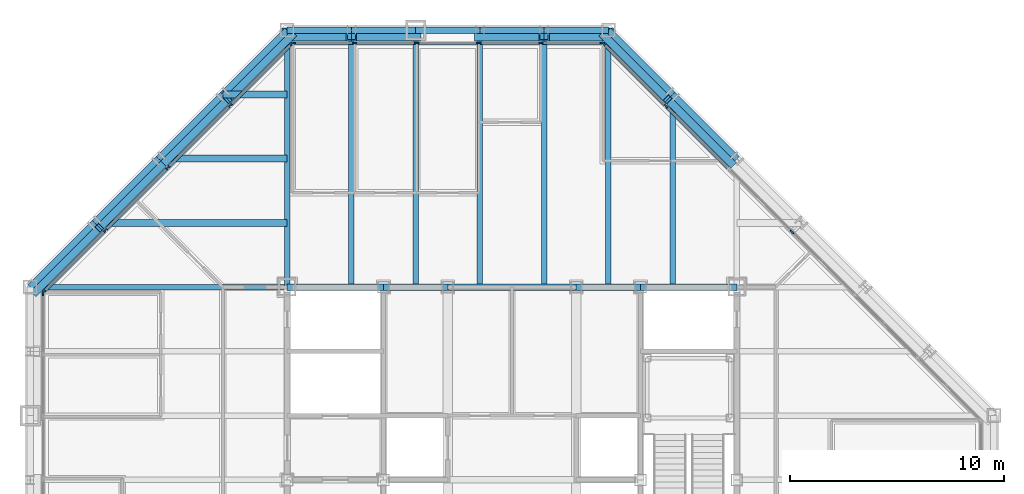
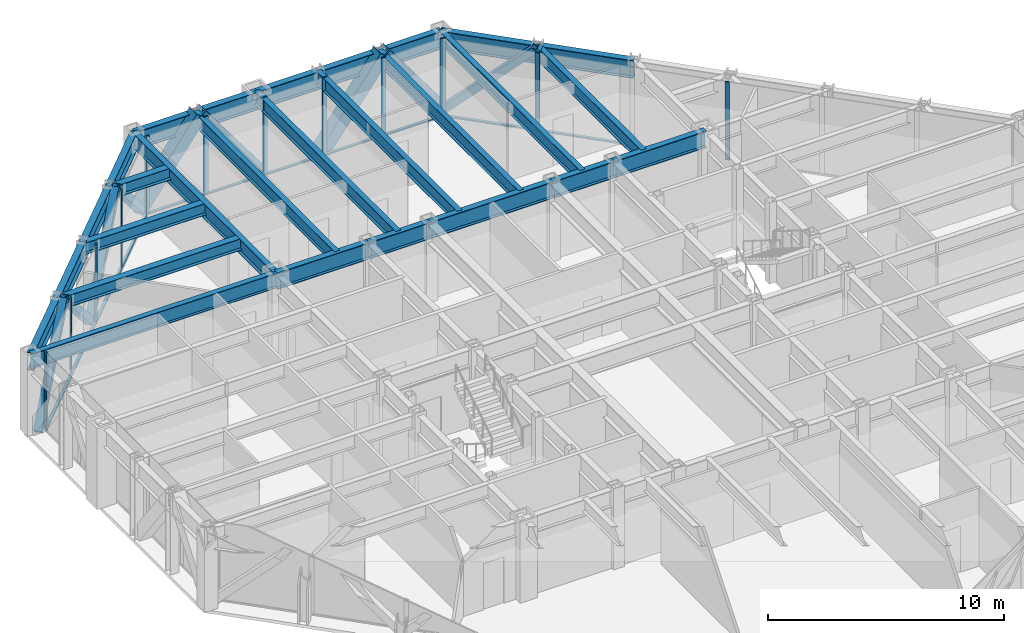
# One storey, part 8 of 16: 36 members, 27 beams, 4 elements without a shape of their own.
"""IFC4 building model written with IfcOpenShell, lengths in metres."""

from ifc_helpers import new_model, si_unit, direction, frame, origin, origin_2d, place, context, subcontext, project, spatial, rectangle, hollow_rectangle, i_section, extrude, material, layer, layer_set, material_profile, profile_set, type_object, element, aggregate, save


model = new_model("IFC4")

# Units and contexts
model_context = context("Model", 3, precision=1e-05, world=origin(), true_north=direction((0.0, 1.0)))
body_context = subcontext(model_context, "Body", "Model", "MODEL_VIEW")
ifc_project = project(units=[si_unit("LENGTHUNIT", "METRE"), si_unit("AREAUNIT", "SQUARE_METRE"), si_unit("VOLUMEUNIT", "CUBIC_METRE"), si_unit("PLANEANGLEUNIT", "RADIAN"), si_unit("MASSUNIT", "GRAM", prefix="KILO")], contexts=[model_context])

# Site, building, storey
site_placement = place(None, origin())
site = spatial("IfcSite", under=ifc_project, at=site_placement, CompositionType="ELEMENT")
building_placement = place(site_placement, origin())
building = spatial("IfcBuilding", under=site, at=building_placement, Name="Chuquiago Exchange Tower", CompositionType="ELEMENT")
storey_placement = place(building_placement, frame((0.0, 0.0, 234.89990234375)))
storey = spatial("IfcBuildingStorey", under=building, at=storey_placement, Name="L52", CompositionType="ELEMENT", Elevation=234.89990234375)

# Beams
ifc_material_1 = material(Name="Steel ASTM A992", Category="steel")
ifc_material_profile_1 = material_profile(ifc_material_1, i_section(OverallWidth=0.25390625, OverallDepth=0.683349609375, WebThickness=0.012451171875, FlangeThickness=0.018798828125, at=origin_2d()), Name="W27X94")
ifc_profile_set_1 = profile_set([ifc_material_profile_1], Name="Steel ASTM A992")
beam_type_1 = type_object("IfcBeamType", Name="B1 W27X94", PredefinedType="BEAM", material=ifc_profile_set_1)
for number, where, z_axis, x_axis, name in (
    (1, (15.0, 33.0, 3.698486328125), (0.0, 1.0, 0.0), (-1.0, 0.0, 0.0), "FB-L53-infill-15_33-15_45-0"),
    (2, (18.0, 33.0, 3.698486328125), (0.0, 1.0, 0.0), (-1.0, 0.0, 0.0), "FB-L53-infill-18_33-18_45-0"),
    (3, (21.0, 33.0, 3.698486328125), (0.0, 1.0, 0.0), (-1.0, 0.0, 0.0), "FB-L53-infill-21_33-21_45-0"),
    (4, (24.0, 33.0, 3.698486328125), (0.0, 1.0, 0.0), (-1.0, 0.0, 0.0), "FB-L53-infill-24_33-24_45-0"),
    (5, (27.0, 33.0, 3.698486328125), (0.0, 1.0, 0.0), (-1.0, 0.0, 0.0), "FB-L53-infill-27_33-27_45-0"),
):
    element("IfcBeam", number, at=place(storey_placement, frame(where, z_axis=z_axis, x_axis=x_axis)), inside=storey, type_object=beam_type_1, Name=name, PredefinedType="BEAM", context=body_context, shape_type="SweptSolid", body=[
        extrude(i_section(OverallWidth=0.25390625, OverallDepth=0.683349609375, WebThickness=0.012451171875, FlangeThickness=0.018798828125, at=origin_2d()), origin(), (0.0, 0.0, 1.0), 12.0),
    ])
beam_1_placement = place(storey_placement, frame((30.0, 33.0, 3.698486328125), z_axis=(0.0, 1.0, 0.0), x_axis=(-1.0, 0.0, 0.0)))
element("IfcBeam", 6, at=beam_1_placement, inside=storey, type_object=beam_type_1, Name="FB-L53-infill-30_33-30_42-0", PredefinedType="BEAM", context=body_context, shape_type="SweptSolid", body=[
    extrude(i_section(OverallWidth=0.25390625, OverallDepth=0.683349609375, WebThickness=0.012451171875, FlangeThickness=0.018798828125, at=origin_2d()), origin(), (0.0, 0.0, 1.0), 9.0),
])
ifc_material_2 = material(Name="Steel ASTM A992", Category="steel")
ifc_material_profile_2 = material_profile(ifc_material_2, i_section(OverallWidth=0.3251953125, OverallDepth=0.612060546875, WebThickness=0.0126953125, FlangeThickness=0.01904296875, at=origin_2d()), Name="W24X104")
ifc_profile_set_2 = profile_set([ifc_material_profile_2], Name="Steel ASTM A992")
beam_type_2 = type_object("IfcBeamType", Name="B2 W24X104", PredefinedType="BEAM", material=ifc_profile_set_2)
beam_2_placement = place(storey_placement, frame((12.0, 36.0, 3.73388671875), z_axis=(-1.0, 0.0, 0.0), x_axis=(0.0, -1.0, 0.0)))
element("IfcBeam", 7, at=beam_2_placement, inside=storey, type_object=beam_type_2, Name="FB-L53-corner-12_36-3_36-0", PredefinedType="BEAM", context=body_context, shape_type="SweptSolid", body=[
    extrude(i_section(OverallWidth=0.3251953125, OverallDepth=0.612060546875, WebThickness=0.0126953125, FlangeThickness=0.01904296875, at=origin_2d()), origin(), (0.0, 0.0, 1.0), 9.0),
])
beam_3_placement = place(storey_placement, frame((12.0, 39.0, 3.73388671875), z_axis=(-1.0, 0.0, 0.0), x_axis=(0.0, -1.0, 0.0)))
element("IfcBeam", 8, at=beam_3_placement, inside=storey, type_object=beam_type_2, Name="FB-L53-corner-12_39-6_39-0", PredefinedType="BEAM", context=body_context, shape_type="SweptSolid", body=[
    extrude(i_section(OverallWidth=0.3251953125, OverallDepth=0.612060546875, WebThickness=0.0126953125, FlangeThickness=0.01904296875, at=origin_2d()), origin(), (0.0, 0.0, 1.0), 6.0),
])
beam_4_placement = place(storey_placement, frame((12.0, 42.0, 3.73388671875), z_axis=(-1.0, 0.0, 0.0), x_axis=(0.0, -1.0, 0.0)))
element("IfcBeam", 9, at=beam_4_placement, inside=storey, type_object=beam_type_2, Name="FB-L53-corner-12_42-9_42-0", PredefinedType="BEAM", context=body_context, shape_type="SweptSolid", body=[
    extrude(i_section(OverallWidth=0.3251953125, OverallDepth=0.612060546875, WebThickness=0.0126953125, FlangeThickness=0.01904296875, at=origin_2d()), origin(), (0.0, 0.0, 1.0), 3.0),
])
ifc_material_3 = material(Name="Steel ASTM A992", Category="steel")
ifc_material_profile_3 = material_profile(ifc_material_3, i_section(OverallWidth=0.2919921875, OverallDepth=0.8583984375, WebThickness=0.01708984375, FlangeThickness=0.031005859375, at=origin_2d()), Name="W33X169")
ifc_profile_set_3 = profile_set([ifc_material_profile_3], Name="Steel ASTM A992")
beam_type_3 = type_object("IfcBeamType", Name="B3 W33X169", PredefinedType="BEAM", material=ifc_profile_set_3)
beam_5_placement = place(storey_placement, frame((12.0, 33.0, 3.61083984375), z_axis=(1.0, 0.0, 0.0), x_axis=(0.0, 1.0, 0.0)))
element("IfcBeam", 10, at=beam_5_placement, inside=storey, type_object=beam_type_3, Name="CB-L53-12_33-16.5_33", PredefinedType="BEAM", context=body_context, shape_type="SweptSolid", body=[
    extrude(i_section(OverallWidth=0.2919921875, OverallDepth=0.8583984375, WebThickness=0.01708984375, FlangeThickness=0.031005859375, at=origin_2d()), origin(), (0.0, 0.0, 1.0), 4.5),
])
beam_6_placement = place(storey_placement, frame((16.5, 33.0, 3.61083984375), z_axis=(1.0, 0.0, 0.0), x_axis=(0.0, 1.0, 0.0)))
element("IfcBeam", 11, at=beam_6_placement, inside=storey, type_object=beam_type_3, Name="CB-L53-16.5_33-19.5_33", PredefinedType="BEAM", context=body_context, shape_type="SweptSolid", body=[
    extrude(i_section(OverallWidth=0.2919921875, OverallDepth=0.8583984375, WebThickness=0.01708984375, FlangeThickness=0.031005859375, at=origin_2d()), origin(), (0.0, 0.0, 1.0), 3.0),
])
beam_7_placement = place(storey_placement, frame((19.5, 33.0, 3.61083984375), z_axis=(1.0, 0.0, 0.0), x_axis=(0.0, 1.0, 0.0)))
element("IfcBeam", 12, at=beam_7_placement, inside=storey, type_object=beam_type_3, Name="CB-L53-19.5_33-25.5_33", PredefinedType="BEAM", context=body_context, shape_type="SweptSolid", body=[
    extrude(i_section(OverallWidth=0.2919921875, OverallDepth=0.8583984375, WebThickness=0.01708984375, FlangeThickness=0.031005859375, at=origin_2d()), origin(), (0.0, 0.0, 1.0), 6.0),
])
beam_8_placement = place(storey_placement, frame((25.5, 33.0, 3.61083984375), z_axis=(1.0, 0.0, 0.0), x_axis=(0.0, 1.0, 0.0)))
element("IfcBeam", 13, at=beam_8_placement, inside=storey, type_object=beam_type_3, Name="CB-L53-25.5_33-28.5_33", PredefinedType="BEAM", context=body_context, shape_type="SweptSolid", body=[
    extrude(i_section(OverallWidth=0.2919921875, OverallDepth=0.8583984375, WebThickness=0.01708984375, FlangeThickness=0.031005859375, at=origin_2d()), origin(), (0.0, 0.0, 1.0), 3.0),
])
beam_9_placement = place(storey_placement, frame((28.5, 33.0, 3.61083984375), z_axis=(1.0, 0.0, 0.0), x_axis=(0.0, 1.0, 0.0)))
element("IfcBeam", 14, at=beam_9_placement, inside=storey, type_object=beam_type_3, Name="CB-L53-28.5_33-33_33", PredefinedType="BEAM", context=body_context, shape_type="SweptSolid", body=[
    extrude(i_section(OverallWidth=0.2919921875, OverallDepth=0.8583984375, WebThickness=0.01708984375, FlangeThickness=0.031005859375, at=origin_2d()), origin(), (0.0, 0.0, 1.0), 4.5),
])

# Curtain wall, members
ifc_material_4 = material(Name="Aluminium curtain wall system", Category="aluminium")
ifc_layer_1 = layer(ifc_material_4, 0.22509765625)
ifc_layer_set_1 = layer_set([ifc_layer_1], Name="CW2 office curtain wall")
curtain_wall_type_1 = type_object("IfcCurtainWallType", Name="CW2 office curtain wall", PredefinedType="NOTDEFINED", material=ifc_layer_set_1)
curtain_wall_1_placement = place(storey_placement, origin())
curtain_wall_1 = element("IfcCurtainWall", 15, at=curtain_wall_1_placement, inside=storey, type_object=curtain_wall_type_1, Name="CW2 curtain wall L52", PredefinedType="NOTDEFINED")
ifc_material_5 = material(Name="Aluminium mullion, pale anodised", Category="aluminium")
ifc_material_profile_4 = material_profile(ifc_material_5, rectangle(XDim=0.06494140625, YDim=0.22509765625, at=origin_2d()), Name="AL 65x225")
ifc_profile_set_4 = profile_set([ifc_material_profile_4], Name="Aluminium mullion, pale anodised")
member_type_1 = type_object("IfcMemberType", Name="CW2-M mullion 65x225", PredefinedType="MULLION", material=ifc_profile_set_4)
member_1_placement = place(storey_placement, frame((26.718994140625, 44.39990234375, 0.0), z_axis=(0.0, 0.0, 1.0), x_axis=(0.0, -1.0, 0.0)))
member_1 = element("IfcMember", 16, at=member_1_placement, type_object=member_type_1, Name="CW2 mullion 1", PredefinedType="MULLION", context=body_context, shape_type="SweptSolid", body=[
    extrude(rectangle(XDim=0.06494140625, YDim=0.22509765625, at=origin_2d()), origin(), (0.0, 0.0, 1.0), 4.0400390625),
])
member_2_placement = place(storey_placement, frame((23.850830078125, 44.39990234375, 0.0), z_axis=(0.0, 0.0, 1.0), x_axis=(0.0, -1.0, 0.0)))
member_2 = element("IfcMember", 17, at=member_2_placement, type_object=member_type_1, Name="CW2 mullion 2", PredefinedType="MULLION", context=body_context, shape_type="SweptSolid", body=[
    extrude(rectangle(XDim=0.06494140625, YDim=0.22509765625, at=origin_2d()), origin(), (0.0, 0.0, 1.0), 4.0400390625),
])
member_3_placement = place(storey_placement, frame((20.9501953125, 44.39990234375, 0.0), z_axis=(0.0, 0.0, 1.0), x_axis=(0.0, -1.0, 0.0)))
member_3 = element("IfcMember", 18, at=member_3_placement, type_object=member_type_1, Name="CW2 mullion 3", PredefinedType="MULLION", context=body_context, shape_type="SweptSolid", body=[
    extrude(rectangle(XDim=0.06494140625, YDim=0.22509765625, at=origin_2d()), origin(), (0.0, 0.0, 1.0), 4.0400390625),
])
member_4_placement = place(storey_placement, frame((18.0498046875, 44.39990234375, 0.0), z_axis=(0.0, 0.0, 1.0), x_axis=(0.0, -1.0, 0.0)))
member_4 = element("IfcMember", 19, at=member_4_placement, type_object=member_type_1, Name="CW2 mullion 4", PredefinedType="MULLION", context=body_context, shape_type="SweptSolid", body=[
    extrude(rectangle(XDim=0.06494140625, YDim=0.22509765625, at=origin_2d()), origin(), (0.0, 0.0, 1.0), 4.0400390625),
])
member_5_placement = place(storey_placement, frame((15.149169921875, 44.39990234375, 0.0), z_axis=(0.0, 0.0, 1.0), x_axis=(0.0, -1.0, 0.0)))
member_5 = element("IfcMember", 20, at=member_5_placement, type_object=member_type_1, Name="CW2 mullion 5", PredefinedType="MULLION", context=body_context, shape_type="SweptSolid", body=[
    extrude(rectangle(XDim=0.06494140625, YDim=0.22509765625, at=origin_2d()), origin(), (0.0, 0.0, 1.0), 4.0400390625),
])
member_6_placement = place(storey_placement, frame((12.281005859375, 44.39990234375, 0.0), z_axis=(0.0, 0.0, 1.0), x_axis=(0.0, -1.0, 0.0)))
member_6 = element("IfcMember", 21, at=member_6_placement, type_object=member_type_1, Name="CW2 mullion 6", PredefinedType="MULLION", context=body_context, shape_type="SweptSolid", body=[
    extrude(rectangle(XDim=0.06494140625, YDim=0.22509765625, at=origin_2d()), origin(), (0.0, 0.0, 1.0), 4.0400390625),
])

# Curtain wall, member
curtain_wall_2_placement = place(storey_placement, origin())
curtain_wall_2 = element("IfcCurtainWall", 22, at=curtain_wall_2_placement, inside=storey, type_object=curtain_wall_type_1, Name="CW2 curtain wall L52", PredefinedType="NOTDEFINED")
member_7_placement = place(storey_placement, frame((0.60009765625, 32.718994140625, 0.0), z_axis=(0.0, 0.0, 1.0), x_axis=(1.0, 0.0, 0.0)))
member_7 = element("IfcMember", 23, at=member_7_placement, type_object=member_type_1, Name="CW2 mullion 1", PredefinedType="MULLION", context=body_context, shape_type="SweptSolid", body=[
    extrude(rectangle(XDim=0.06494140625, YDim=0.22509765625, at=origin_2d()), origin(), (0.0, 0.0, 1.0), 4.0400390625),
])
aggregate(curtain_wall_2, [member_7])

# Member
ifc_material_6 = material(Name="Aluminium transom, pale anodised", Category="aluminium")
ifc_material_profile_5 = material_profile(ifc_material_6, rectangle(XDim=0.139892578125, YDim=0.06494140625, at=origin_2d()), Name="AL 140x65")
ifc_profile_set_5 = profile_set([ifc_material_profile_5], Name="Aluminium transom, pale anodised")
member_type_2 = type_object("IfcMemberType", Name="CW2-T transom 65x140", PredefinedType="MULLION", material=ifc_profile_set_5)
member_8_placement = place(storey_placement, frame((26.6865234375, 44.39990234375, 0.03271484375), z_axis=(-1.0, 0.0, 0.0), x_axis=(0.0, -1.0, 0.0)))
member_8 = element("IfcMember", 24, at=member_8_placement, type_object=member_type_2, Name="CW2 transom 1.1", PredefinedType="MULLION", context=body_context, shape_type="SweptSolid", body=[
    extrude(rectangle(XDim=0.139892578125, YDim=0.06494140625, at=origin_2d()), origin(), (0.0, 0.0, 1.0), 2.80322265625),
])

member_9_placement = place(storey_placement, frame((23.818359375, 44.39990234375, 0.03271484375), z_axis=(-1.0, 0.0, 0.0), x_axis=(0.0, -1.0, 0.0)))
member_9 = element("IfcMember", 25, at=member_9_placement, type_object=member_type_2, Name="CW2 transom 2.1", PredefinedType="MULLION", context=body_context, shape_type="SweptSolid", body=[
    extrude(rectangle(XDim=0.139892578125, YDim=0.06494140625, at=origin_2d()), origin(), (0.0, 0.0, 1.0), 2.83544921875),
])

member_10_placement = place(storey_placement, frame((20.917724609375, 44.39990234375, 0.03271484375), z_axis=(-1.0, 0.0, 0.0), x_axis=(0.0, -1.0, 0.0)))
member_10 = element("IfcMember", 26, at=member_10_placement, type_object=member_type_2, Name="CW2 transom 3.1", PredefinedType="MULLION", context=body_context, shape_type="SweptSolid", body=[
    extrude(rectangle(XDim=0.139892578125, YDim=0.06494140625, at=origin_2d()), origin(), (0.0, 0.0, 1.0), 2.83544921875),
])

member_11_placement = place(storey_placement, frame((18.01708984375, 44.39990234375, 0.03271484375), z_axis=(-1.0, 0.0, 0.0), x_axis=(0.0, -1.0, 0.0)))
member_11 = element("IfcMember", 27, at=member_11_placement, type_object=member_type_2, Name="CW2 transom 4.1", PredefinedType="MULLION", context=body_context, shape_type="SweptSolid", body=[
    extrude(rectangle(XDim=0.139892578125, YDim=0.06494140625, at=origin_2d()), origin(), (0.0, 0.0, 1.0), 2.83544921875),
])

member_12_placement = place(storey_placement, frame((15.11669921875, 44.39990234375, 0.03271484375), z_axis=(-1.0, 0.0, 0.0), x_axis=(0.0, -1.0, 0.0)))
member_12 = element("IfcMember", 28, at=member_12_placement, type_object=member_type_2, Name="CW2 transom 5.1", PredefinedType="MULLION", context=body_context, shape_type="SweptSolid", body=[
    extrude(rectangle(XDim=0.139892578125, YDim=0.06494140625, at=origin_2d()), origin(), (0.0, 0.0, 1.0), 2.80322265625),
])

aggregate(curtain_wall_1, [member_1, member_2, member_3, member_4, member_5, member_6, member_8, member_9, member_10, member_11, member_12])

# Curtain wall, members
ifc_material_7 = material(Name="Aluminium curtain wall system", Category="aluminium")
ifc_layer_2 = layer(ifc_material_7, 0.199951171875)
ifc_layer_set_2 = layer_set([ifc_layer_2], Name="CW3 facet curtain wall")
curtain_wall_type_2 = type_object("IfcCurtainWallType", Name="CW3 facet curtain wall", PredefinedType="NOTDEFINED", material=ifc_layer_set_2)
curtain_wall_3_placement = place(storey_placement, origin())
curtain_wall_3 = element("IfcCurtainWall", 29, at=curtain_wall_3_placement, inside=storey, type_object=curtain_wall_type_2, Name="CW3 curtain wall L52", PredefinedType="NOTDEFINED")
ifc_material_8 = material(Name="Aluminium mullion, pale anodised", Category="aluminium")
ifc_material_profile_6 = material_profile(ifc_material_8, rectangle(XDim=0.06494140625, YDim=0.199951171875, at=origin_2d()), Name="AL 65x200")
ifc_profile_set_6 = profile_set([ifc_material_profile_6], Name="Aluminium mullion, pale anodised")
member_type_3 = type_object("IfcMemberType", Name="CW3-M mullion 65x200", PredefinedType="MULLION", material=ifc_profile_set_6)
member_13_placement = place(storey_placement, frame((35.57568359375, 35.57568359375, 0.0), z_axis=(0.0, 0.0, 1.0), x_axis=(-0.707106781187, -0.707106781187, 0.0)))
member_13 = element("IfcMember", 30, at=member_13_placement, type_object=member_type_3, Name="CW3 mullion 4", PredefinedType="MULLION", context=body_context, shape_type="SweptSolid", body=[
    extrude(rectangle(XDim=0.06494140625, YDim=0.199951171875, at=origin_2d()), origin(), (0.0, 0.0, 1.0), 4.0400390625),
])
member_14_placement = place(storey_placement, frame((29.69287109375, 41.45849609375, 0.0), z_axis=(0.0, 0.0, 1.0), x_axis=(-0.707106781187, -0.707106781187, 0.0)))
member_14 = element("IfcMember", 31, at=member_14_placement, type_object=member_type_3, Name="CW3 mullion 6", PredefinedType="MULLION", context=body_context, shape_type="SweptSolid", body=[
    extrude(rectangle(XDim=0.06494140625, YDim=0.199951171875, at=origin_2d()), origin(), (0.0, 0.0, 1.0), 4.0400390625),
])
member_15_placement = place(storey_placement, frame((26.7744140625, 44.376953125, 0.0), z_axis=(0.0, 0.0, 1.0), x_axis=(-0.707106781187, -0.707106781187, 0.0)))
member_15 = element("IfcMember", 32, at=member_15_placement, type_object=member_type_3, Name="CW3 mullion 7", PredefinedType="MULLION", context=body_context, shape_type="SweptSolid", body=[
    extrude(rectangle(XDim=0.06494140625, YDim=0.199951171875, at=origin_2d()), origin(), (0.0, 0.0, 1.0), 4.0400390625),
])

curtain_wall_4_placement = place(storey_placement, origin())
curtain_wall_4 = element("IfcCurtainWall", 33, at=curtain_wall_4_placement, inside=storey, type_object=curtain_wall_type_2, Name="CW3 curtain wall L52", PredefinedType="NOTDEFINED")
member_16_placement = place(storey_placement, frame((12.2255859375, 44.376953125, 0.0), z_axis=(0.0, 0.0, 1.0), x_axis=(0.707106781187, -0.707106781187, 0.0)))
member_16 = element("IfcMember", 34, at=member_16_placement, type_object=member_type_3, Name="CW3 mullion 1", PredefinedType="MULLION", context=body_context, shape_type="SweptSolid", body=[
    extrude(rectangle(XDim=0.06494140625, YDim=0.199951171875, at=origin_2d()), origin(), (0.0, 0.0, 1.0), 4.0400390625),
])
member_17_placement = place(storey_placement, frame((9.33642578125, 41.48779296875, 0.0), z_axis=(0.0, 0.0, 1.0), x_axis=(0.707106781187, -0.707106781187, 0.0)))
member_17 = element("IfcMember", 35, at=member_17_placement, type_object=member_type_3, Name="CW3 mullion 2", PredefinedType="MULLION", context=body_context, shape_type="SweptSolid", body=[
    extrude(rectangle(XDim=0.06494140625, YDim=0.199951171875, at=origin_2d()), origin(), (0.0, 0.0, 1.0), 4.0400390625),
])
member_18_placement = place(storey_placement, frame((6.42431640625, 38.57568359375, 0.0), z_axis=(0.0, 0.0, 1.0), x_axis=(0.707106781187, -0.707106781187, 0.0)))
member_18 = element("IfcMember", 36, at=member_18_placement, type_object=member_type_3, Name="CW3 mullion 3", PredefinedType="MULLION", context=body_context, shape_type="SweptSolid", body=[
    extrude(rectangle(XDim=0.06494140625, YDim=0.199951171875, at=origin_2d()), origin(), (0.0, 0.0, 1.0), 4.0400390625),
])
member_19_placement = place(storey_placement, frame((3.51220703125, 35.66357421875, 0.0), z_axis=(0.0, 0.0, 1.0), x_axis=(0.707106781187, -0.707106781187, 0.0)))
member_19 = element("IfcMember", 37, at=member_19_placement, type_object=member_type_3, Name="CW3 mullion 4", PredefinedType="MULLION", context=body_context, shape_type="SweptSolid", body=[
    extrude(rectangle(XDim=0.06494140625, YDim=0.199951171875, at=origin_2d()), origin(), (0.0, 0.0, 1.0), 4.0400390625),
])
member_20_placement = place(storey_placement, frame((0.623046875, 32.7744140625, 0.0), z_axis=(0.0, 0.0, 1.0), x_axis=(0.707106781187, -0.707106781187, 0.0)))
member_20 = element("IfcMember", 38, at=member_20_placement, type_object=member_type_3, Name="CW3 mullion 5", PredefinedType="MULLION", context=body_context, shape_type="SweptSolid", body=[
    extrude(rectangle(XDim=0.06494140625, YDim=0.199951171875, at=origin_2d()), origin(), (0.0, 0.0, 1.0), 4.0400390625),
])

# Member
ifc_material_9 = material(Name="Aluminium transom, pale anodised", Category="aluminium")
ifc_material_profile_7 = material_profile(ifc_material_9, rectangle(XDim=0.139892578125, YDim=0.06494140625, at=origin_2d()), Name="AL 140x65")
ifc_profile_set_7 = profile_set([ifc_material_profile_7], Name="Aluminium transom, pale anodised")
member_type_4 = type_object("IfcMemberType", Name="CW3-T transom 65x140", PredefinedType="MULLION", material=ifc_profile_set_7)
member_21_placement = place(storey_placement, frame((32.611328125, 38.5400390625, 0.03271484375), z_axis=(-0.707106781187, 0.707106781187, 0.0), x_axis=(-0.707106781187, -0.707106781187, 0.0)))
member_21 = element("IfcMember", 39, at=member_21_placement, type_object=member_type_4, Name="CW3 transom 5.1", PredefinedType="MULLION", context=body_context, shape_type="SweptSolid", body=[
    extrude(rectangle(XDim=0.139892578125, YDim=0.06494140625, at=origin_2d()), origin(), (0.0, 0.0, 1.0), 4.094970703125),
])

member_22_placement = place(storey_placement, frame((29.669921875, 41.4814453125, 0.03271484375), z_axis=(-0.707106781187, 0.707106781187, 0.0), x_axis=(-0.707106781187, -0.707106781187, 0.0)))
member_22 = element("IfcMember", 40, at=member_22_placement, type_object=member_type_4, Name="CW3 transom 6.1", PredefinedType="MULLION", context=body_context, shape_type="SweptSolid", body=[
    extrude(rectangle(XDim=0.139892578125, YDim=0.06494140625, at=origin_2d()), origin(), (0.0, 0.0, 1.0), 4.0625),
])

aggregate(curtain_wall_3, [member_13, member_14, member_15, member_21, member_22])

member_23_placement = place(storey_placement, frame((12.20263671875, 44.35400390625, 0.03271484375), z_axis=(-0.707106781187, -0.707106781187, 0.0), x_axis=(0.707106781187, -0.707106781187, 0.0)))
member_23 = element("IfcMember", 41, at=member_23_placement, type_object=member_type_4, Name="CW3 transom 1.1", PredefinedType="MULLION", context=body_context, shape_type="SweptSolid", body=[
    extrude(rectangle(XDim=0.139892578125, YDim=0.06494140625, at=origin_2d()), origin(), (0.0, 0.0, 1.0), 4.02099609375),
])

member_24_placement = place(storey_placement, frame((9.3134765625, 41.46484375, 0.03271484375), z_axis=(-0.707106781187, -0.707106781187, 0.0), x_axis=(0.707106781187, -0.707106781187, 0.0)))
member_24 = element("IfcMember", 42, at=member_24_placement, type_object=member_type_4, Name="CW3 transom 2.1", PredefinedType="MULLION", context=body_context, shape_type="SweptSolid", body=[
    extrude(rectangle(XDim=0.139892578125, YDim=0.06494140625, at=origin_2d()), origin(), (0.0, 0.0, 1.0), 4.053466796875),
])

member_25_placement = place(storey_placement, frame((6.4013671875, 38.552734375, 0.03271484375), z_axis=(-0.707106781187, -0.707106781187, 0.0), x_axis=(0.707106781187, -0.707106781187, 0.0)))
member_25 = element("IfcMember", 43, at=member_25_placement, type_object=member_type_4, Name="CW3 transom 3.1", PredefinedType="MULLION", context=body_context, shape_type="SweptSolid", body=[
    extrude(rectangle(XDim=0.139892578125, YDim=0.06494140625, at=origin_2d()), origin(), (0.0, 0.0, 1.0), 4.053466796875),
])

member_26_placement = place(storey_placement, frame((3.4892578125, 35.640625, 0.03271484375), z_axis=(-0.707106781187, -0.707106781187, 0.0), x_axis=(0.707106781187, -0.707106781187, 0.0)))
member_26 = element("IfcMember", 44, at=member_26_placement, type_object=member_type_4, Name="CW3 transom 4.1", PredefinedType="MULLION", context=body_context, shape_type="SweptSolid", body=[
    extrude(rectangle(XDim=0.139892578125, YDim=0.06494140625, at=origin_2d()), origin(), (0.0, 0.0, 1.0), 4.02099609375),
])

aggregate(curtain_wall_4, [member_16, member_17, member_18, member_19, member_20, member_23, member_24, member_25, member_26])

# Beams
ifc_material_10 = material(Name="Steel ASTM A992", Category="steel")
ifc_material_profile_8 = material_profile(ifc_material_10, i_section(OverallWidth=0.2666015625, OverallDepth=0.76953125, WebThickness=0.015625, FlangeThickness=0.025390625, at=origin_2d()), Name="W30X132")
ifc_profile_set_8 = profile_set([ifc_material_profile_8], Name="Steel ASTM A992")
beam_type_4 = type_object("IfcBeamType", Name="G1 W30X132", PredefinedType="BEAM", material=ifc_profile_set_8)
for number, where, z_axis, x_axis, name in (
    (45, (12.0, 33.0, 3.6552734375), (0.0, 1.0, 0.0), (-1.0, 0.0, 0.0), "FB-L53-girder-12_33-12_45-0"),
    (46, (12.0, 33.0, 3.6552734375), (-1.0, 0.0, 0.0), (0.0, -1.0, 0.0), "FB-L53-girder-12_33--0_33-0"),
):
    element("IfcBeam", number, at=place(storey_placement, frame(where, z_axis=z_axis, x_axis=x_axis)), inside=storey, type_object=beam_type_4, Name=name, PredefinedType="BEAM", context=body_context, shape_type="SweptSolid", body=[
        extrude(i_section(OverallWidth=0.2666015625, OverallDepth=0.76953125, WebThickness=0.015625, FlangeThickness=0.025390625, at=origin_2d()), origin(), (0.0, 0.0, 1.0), 12.0),
    ])

# Members
ifc_material_11 = material(Name="Steel ASTM A500 Grade C", Category="steel")
ifc_material_profile_9 = material_profile(ifc_material_11, hollow_rectangle(XDim=0.355712890625, YDim=0.355712890625, WallThickness=0.0146484375, at=origin_2d()), Name="HSS14X14X5/8")
ifc_profile_set_9 = profile_set([ifc_material_profile_9], Name="Steel ASTM A500 Grade C")
member_type_5 = type_object("IfcMemberType", Name="LB2 HSS14X14X5/8", PredefinedType="BRACE", material=ifc_profile_set_9)
for number, where, z_axis, x_axis, name in (
    (47, (32.7685546875, 38.7685546875, 0.0), (-0.512077265487, 0.512077265487, 0.689604051861), (-0.707106781187, -0.707106781187, 0.0), "LB-L52-33_39-30_42"),
    (48, (26.7685546875, 44.7685546875, 0.0), (0.512077265487, -0.512077265487, 0.689604051861), (0.707106781187, 0.707106781187, 0.0), "LB-L52-30_42-27_45"),
    (49, (12.2314453125, 44.7685546875, 0.0), (-0.512077265487, -0.512077265487, 0.689604051861), (0.707106781187, -0.707106781187, 0.0), "LB-L52-12_45-9_42"),
    (50, (6.2314453125, 38.7685546875, 0.0), (0.512077265487, 0.512077265487, 0.689604051861), (-0.707106781187, 0.707106781187, 0.0), "LB-L52-9_42-6_39"),
    (51, (6.2314453125, 38.7685546875, 0.0), (-0.512077265487, -0.512077265487, 0.689604051861), (0.707106781187, -0.707106781187, 0.0), "LB-L52-6_39-3_36"),
    (52, (0.2314453125, 32.7685546875, 0.0), (0.512077265487, 0.512077265487, 0.689604051861), (-0.707106781187, 0.707106781187, 0.0), "LB-L52-3_36-0_33"),
):
    element("IfcMember", number, at=place(storey_placement, frame(where, z_axis=z_axis, x_axis=x_axis)), inside=storey, type_object=member_type_5, Name=name, PredefinedType="BRACE", context=body_context, shape_type="SweptSolid", body=[
        extrude(hollow_rectangle(XDim=0.355712890625, YDim=0.355712890625, WallThickness=0.0146484375, at=origin_2d()), origin(), (0.0, 0.0, 1.0), 5.8583984375),
    ])
ifc_material_12 = material(Name="Steel ASTM A572 Grade 50", Category="steel")
ifc_material_profile_10 = material_profile(ifc_material_12, hollow_rectangle(XDim=0.60009765625, YDim=0.60009765625, WallThickness=0.06005859375, at=origin_2d()), Name="BOX600X600X60")
ifc_profile_set_10 = profile_set([ifc_material_profile_10], Name="Steel ASTM A572 Grade 50")
member_type_6 = type_object("IfcMemberType", Name="MB3 BOX600X600X60", PredefinedType="BRACE", material=ifc_profile_set_10)
for number, where, z_axis, x_axis, name in (
    (53, (27.0, 44.794921875, 0.0), (-0.596173923302, 0.0, 0.802855312728), (0.0, -1.0, 0.0), "Mega diagonal L52 N face"),
    (54, (21.0, 44.794921875, 0.0), (0.596173923302, 0.0, 0.802855312728), (0.0, 1.0, 0.0), "Mega diagonal L52 N face"),
    (55, (18.0, 44.794921875, 0.0), (-0.596173923302, 0.0, 0.802855312728), (0.0, -1.0, 0.0), "Mega diagonal L52 N face"),
    (56, (12.0, 44.794921875, 0.0), (0.596173923302, 0.0, 0.802855312728), (0.0, 1.0, 0.0), "Mega diagonal L52 N face"),
):
    element("IfcMember", number, at=place(storey_placement, frame(where, z_axis=z_axis, x_axis=x_axis)), inside=storey, type_object=member_type_6, Name=name, PredefinedType="BRACE", context=body_context, shape_type="SweptSolid", body=[
        extrude(hollow_rectangle(XDim=0.60009765625, YDim=0.60009765625, WallThickness=0.06005859375, at=origin_2d()), origin(), (0.0, 0.0, 1.0), 5.031982421875),
    ])

# Beams
ifc_material_13 = material(Name="Steel ASTM A992", Category="steel")
ifc_material_profile_11 = material_profile(ifc_material_13, i_section(OverallWidth=0.307373046875, OverallDepth=0.927001953125, WebThickness=0.01953125, FlangeThickness=0.031982421875, at=origin_2d()), Name="W36X194")
ifc_profile_set_11 = profile_set([ifc_material_profile_11], Name="Steel ASTM A992")
beam_type_5 = type_object("IfcBeamType", Name="SP3 W36X194", PredefinedType="SPANDREL", material=ifc_profile_set_11)
for number, where, z_axis, x_axis, name in (
    (57, (33.0, 39.0, 3.576416015625), (-0.707106781187, 0.707106781187, 0.0), (-0.707106781187, -0.707106781187, 0.0), "SPB-L53-33_39-30_42"),
    (58, (30.0, 42.0, 3.576416015625), (-0.707106781187, 0.707106781187, 0.0), (-0.707106781187, -0.707106781187, 0.0), "SPB-L53-30_42-27_45"),
):
    element("IfcBeam", number, at=place(storey_placement, frame(where, z_axis=z_axis, x_axis=x_axis)), inside=storey, type_object=beam_type_5, Name=name, PredefinedType="SPANDREL", context=body_context, shape_type="SweptSolid", body=[
        extrude(i_section(OverallWidth=0.307373046875, OverallDepth=0.927001953125, WebThickness=0.01953125, FlangeThickness=0.031982421875, at=origin_2d()), origin(), (0.0, 0.0, 1.0), 4.24267578125),
    ])
for number, where, z_axis, x_axis, name in (
    (59, (27.0, 45.0, 3.576416015625), (-1.0, 0.0, 0.0), (0.0, -1.0, 0.0), "SPB-L53-27_45-24_45"),
    (60, (24.0, 45.0, 3.576416015625), (-1.0, 0.0, 0.0), (0.0, -1.0, 0.0), "SPB-L53-24_45-21_45"),
    (61, (21.0, 45.0, 3.576416015625), (-1.0, 0.0, 0.0), (0.0, -1.0, 0.0), "SPB-L53-21_45-18_45"),
    (62, (18.0, 45.0, 3.576416015625), (-1.0, 0.0, 0.0), (0.0, -1.0, 0.0), "SPB-L53-18_45-15_45"),
    (63, (15.0, 45.0, 3.576416015625), (-1.0, 0.0, 0.0), (0.0, -1.0, 0.0), "SPB-L53-15_45-12_45"),
):
    element("IfcBeam", number, at=place(storey_placement, frame(where, z_axis=z_axis, x_axis=x_axis)), inside=storey, type_object=beam_type_5, Name=name, PredefinedType="SPANDREL", context=body_context, shape_type="SweptSolid", body=[
        extrude(i_section(OverallWidth=0.307373046875, OverallDepth=0.927001953125, WebThickness=0.01953125, FlangeThickness=0.031982421875, at=origin_2d()), origin(), (0.0, 0.0, 1.0), 3.0),
    ])
for number, where, z_axis, x_axis, name in (
    (64, (12.0, 45.0, 3.576416015625), (-0.707106781187, -0.707106781187, 0.0), (0.707106781187, -0.707106781187, 0.0), "SPB-L53-12_45-9_42"),
    (65, (9.0, 42.0, 3.576416015625), (-0.707106781187, -0.707106781187, 0.0), (0.707106781187, -0.707106781187, 0.0), "SPB-L53-9_42-6_39"),
    (66, (6.0, 39.0, 3.576416015625), (-0.707106781187, -0.707106781187, 0.0), (0.707106781187, -0.707106781187, 0.0), "SPB-L53-6_39-3_36"),
    (67, (3.0, 36.0, 3.576416015625), (-0.707106781187, -0.707106781187, 0.0), (0.707106781187, -0.707106781187, 0.0), "SPB-L53-3_36-0_33"),
):
    element("IfcBeam", number, at=place(storey_placement, frame(where, z_axis=z_axis, x_axis=x_axis)), inside=storey, type_object=beam_type_5, Name=name, PredefinedType="SPANDREL", context=body_context, shape_type="SweptSolid", body=[
        extrude(i_section(OverallWidth=0.307373046875, OverallDepth=0.927001953125, WebThickness=0.01953125, FlangeThickness=0.031982421875, at=origin_2d()), origin(), (0.0, 0.0, 1.0), 4.24267578125),
    ])

save(model, "model.ifc")
